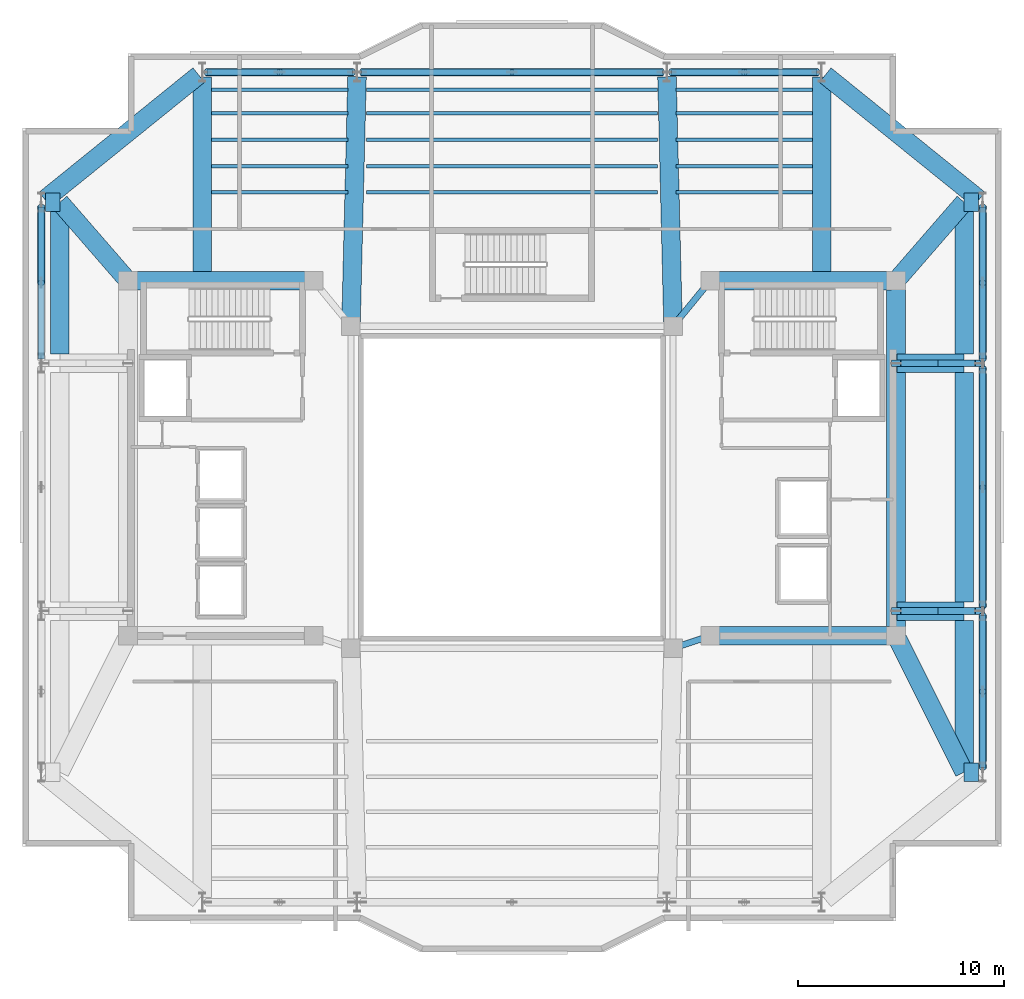
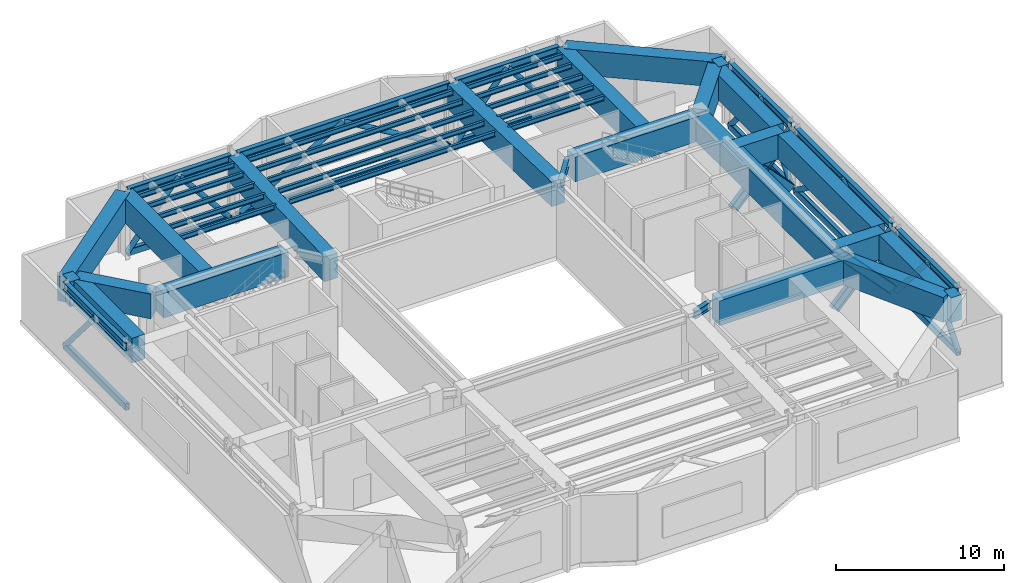
# One storey, part 2 of 13: 46 beams, 24 members.
"""IFC4 building model written with IfcOpenShell, lengths in metres."""

from ifc_helpers import new_model, si_unit, direction, frame, origin, origin_2d, place, context, subcontext, project, spatial, rectangle, hollow_rectangle, hollow_circle, i_section, extrude, material, material_profile, profile_set, type_object, element, save


model = new_model("IFC4")

# Units and contexts
model_context = context("Model", 3, precision=1e-05, world=origin(), true_north=direction((0.0, 1.0)))
body_context = subcontext(model_context, "Body", "Model", "MODEL_VIEW")
ifc_project = project(units=[si_unit("LENGTHUNIT", "METRE"), si_unit("AREAUNIT", "SQUARE_METRE"), si_unit("VOLUMEUNIT", "CUBIC_METRE"), si_unit("PLANEANGLEUNIT", "RADIAN"), si_unit("MASSUNIT", "GRAM", prefix="KILO")], contexts=[model_context])

# Site, building, storey
site_placement = place(None, origin())
site = spatial("IfcSite", under=ifc_project, at=site_placement, CompositionType="ELEMENT")
building_placement = place(site_placement, origin())
building = spatial("IfcBuilding", under=site, at=building_placement, Name="Tarnavaz Court Tower", CompositionType="ELEMENT")
storey_placement = place(building_placement, frame((0.0, 0.0, 236.39990234375)))
storey = spatial("IfcBuildingStorey", under=building, at=storey_placement, Name="L64", CompositionType="ELEMENT", Elevation=236.39990234375)

# Beams
ifc_material_1 = material(Name="Steel S460", Category="steel")
ifc_material_profile_1 = material_profile(ifc_material_1, i_section(OverallWidth=0.305908203125, OverallDepth=0.572021484375, WebThickness=0.02099609375, FlangeThickness=0.0400390625, FilletRadius=0.027099609375, at=origin_2d()), Name="HEM 550")
ifc_profile_set_1 = profile_set([ifc_material_profile_1], Name="Steel S460")
beam_type_1 = type_object("IfcBeamType", Name="BM-BT-HEM550", PredefinedType="USERDEFINED", material=ifc_profile_set_1)
beam_1_placement = place(storey_placement, frame((9.391357421875, -7.26953125, 4.564208984375), z_axis=(-0.948666544706, -0.316278021615, 0.0), x_axis=(0.316278021615, -0.948666544706, 0.0)))
element("IfcBeam", 1, at=beam_1_placement, inside=storey, type_object=beam_type_1, Name="L64 Beam IN-CE-SI-IW-SE", ObjectType="GIRDER", PredefinedType="USERDEFINED", context=body_context, shape_type="SweptSolid", body=[
    extrude(i_section(OverallWidth=0.305908203125, OverallDepth=0.572021484375, WebThickness=0.02099609375, FlangeThickness=0.0400390625, FilletRadius=0.027099609375, at=origin_2d()), origin(), (0.0, 0.0, 1.0), 1.457275390625),
])
beam_2_placement = place(storey_placement, frame((9.460693359375, 9.82958984375, 4.564208984375), z_axis=(-0.633282058357, -0.773921077735, 0.0), x_axis=(0.773921077735, -0.633282058357, 0.0)))
element("IfcBeam", 2, at=beam_2_placement, inside=storey, type_object=beam_type_1, Name="L64 Beam IN-CE-NI-IW-NE", ObjectType="GIRDER", PredefinedType="USERDEFINED", context=body_context, shape_type="SweptSolid", body=[
    extrude(i_section(OverallWidth=0.305908203125, OverallDepth=0.572021484375, WebThickness=0.02099609375, FlangeThickness=0.0400390625, FilletRadius=0.027099609375, at=origin_2d()), origin(), (0.0, 0.0, 1.0), 2.402587890625),
])
beam_3_placement = place(storey_placement, frame((-14.780029296875, 20.10009765625, 4.564208984375), z_axis=(1.0, 0.0, 0.0), x_axis=(0.0, 1.0, 0.0)))
element("IfcBeam", 3, at=beam_3_placement, inside=storey, type_object=beam_type_1, Name="L64 Beam PR-PN-1-PN-2", ObjectType="GIRDER", PredefinedType="USERDEFINED", context=body_context, shape_type="SweptSolid", body=[
    extrude(i_section(OverallWidth=0.305908203125, OverallDepth=0.572021484375, WebThickness=0.02099609375, FlangeThickness=0.0400390625, FilletRadius=0.027099609375, at=origin_2d()), origin(), (0.0, 0.0, 1.0), 7.06005859375),
])
beam_4_placement = place(storey_placement, frame((-7.280029296875, 20.10009765625, 4.564208984375), z_axis=(1.0, 0.0, 0.0), x_axis=(0.0, 1.0, 0.0)))
element("IfcBeam", 4, at=beam_4_placement, inside=storey, type_object=beam_type_1, Name="L64 Beam PR-PN-2-PN-3", ObjectType="GIRDER", PredefinedType="USERDEFINED", context=body_context, shape_type="SweptSolid", body=[
    extrude(i_section(OverallWidth=0.305908203125, OverallDepth=0.572021484375, WebThickness=0.02099609375, FlangeThickness=0.0400390625, FilletRadius=0.027099609375, at=origin_2d()), origin(), (0.0, 0.0, 1.0), 14.56005859375),
])
beam_5_placement = place(storey_placement, frame((7.719970703125, 20.10009765625, 4.564208984375), z_axis=(1.0, 0.0, 0.0), x_axis=(0.0, 1.0, 0.0)))
element("IfcBeam", 5, at=beam_5_placement, inside=storey, type_object=beam_type_1, Name="L64 Beam PR-PN-3-PN-4", ObjectType="GIRDER", PredefinedType="USERDEFINED", context=body_context, shape_type="SweptSolid", body=[
    extrude(i_section(OverallWidth=0.305908203125, OverallDepth=0.572021484375, WebThickness=0.02099609375, FlangeThickness=0.0400390625, FilletRadius=0.027099609375, at=origin_2d()), origin(), (0.0, 0.0, 1.0), 7.06005859375),
])
beam_6_placement = place(storey_placement, frame((22.800048828125, -13.580078125, 4.564208984375), z_axis=(0.0, 1.0, 0.0), x_axis=(-1.0, 0.0, 0.0)))
element("IfcBeam", 6, at=beam_6_placement, inside=storey, type_object=beam_type_1, Name="L64 Beam PR-PE-1-PE-2", ObjectType="GIRDER", PredefinedType="USERDEFINED", context=body_context, shape_type="SweptSolid", body=[
    extrude(i_section(OverallWidth=0.305908203125, OverallDepth=0.572021484375, WebThickness=0.02099609375, FlangeThickness=0.0400390625, FilletRadius=0.027099609375, at=origin_2d()), origin(), (0.0, 0.0, 1.0), 7.360107421875),
])
beam_7_placement = place(storey_placement, frame((22.800048828125, -5.780029296875, 4.564208984375), z_axis=(0.0, 1.0, 0.0), x_axis=(-1.0, 0.0, 0.0)))
element("IfcBeam", 7, at=beam_7_placement, inside=storey, type_object=beam_type_1, Name="L64 Beam PR-PE-2-PE-3", ObjectType="GIRDER", PredefinedType="USERDEFINED", context=body_context, shape_type="SweptSolid", body=[
    extrude(i_section(OverallWidth=0.305908203125, OverallDepth=0.572021484375, WebThickness=0.02099609375, FlangeThickness=0.0400390625, FilletRadius=0.027099609375, at=origin_2d()), origin(), (0.0, 0.0, 1.0), 11.56005859375),
])
for number, where, z_axis, x_axis, name in (
    (8, (22.800048828125, 6.219970703125, 4.564208984375), (0.0, 1.0, 0.0), (-1.0, 0.0, 0.0), "L64 Beam PR-PE-3-PE-4"),
    (9, (-22.800048828125, 6.219970703125, 4.564208984375), (0.0, 1.0, 0.0), (-1.0, 0.0, 0.0), "L64 Beam PR-PW-3-PW-4"),
):
    element("IfcBeam", number, at=place(storey_placement, frame(where, z_axis=z_axis, x_axis=x_axis)), inside=storey, type_object=beam_type_1, Name=name, ObjectType="GIRDER", PredefinedType="USERDEFINED", context=body_context, shape_type="SweptSolid", body=[
        extrude(i_section(OverallWidth=0.305908203125, OverallDepth=0.572021484375, WebThickness=0.02099609375, FlangeThickness=0.0400390625, FilletRadius=0.027099609375, at=origin_2d()), origin(), (0.0, 0.0, 1.0), 7.360107421875),
    ])
ifc_material_2 = material(Name="Steel S355", Category="steel")
ifc_material_profile_2 = material_profile(ifc_material_2, i_section(OverallWidth=0.169921875, OverallDepth=0.360107421875, WebThickness=0.008056640625, FlangeThickness=0.0126953125, FilletRadius=0.01806640625, at=origin_2d()), Name="IPE 360")
ifc_profile_set_2 = profile_set([ifc_material_profile_2], Name="Steel S355")
beam_type_2 = type_object("IfcBeamType", Name="BM-J-IPE360", PredefinedType="JOIST", material=ifc_profile_set_2)
beam_8_placement = place(storey_placement, frame((-14.550048828125, 14.278076171875, 4.670166015625), z_axis=(1.0, 0.0, 0.0), x_axis=(0.0, 1.0, 0.0)))
element("IfcBeam", 10, at=beam_8_placement, inside=storey, type_object=beam_type_2, Name="L64 Beam JN1-1", PredefinedType="JOIST", context=body_context, shape_type="SweptSolid", body=[
    extrude(i_section(OverallWidth=0.169921875, OverallDepth=0.360107421875, WebThickness=0.008056640625, FlangeThickness=0.0126953125, FilletRadius=0.01806640625, at=origin_2d()), origin(), (0.0, 0.0, 1.0), 6.60009765625),
])
beam_9_placement = place(storey_placement, frame((-7.050048828125, 14.278076171875, 4.670166015625), z_axis=(1.0, 0.0, 0.0), x_axis=(0.0, 1.0, 0.0)))
element("IfcBeam", 11, at=beam_9_placement, inside=storey, type_object=beam_type_2, Name="L64 Beam JN1-2", PredefinedType="JOIST", context=body_context, shape_type="SweptSolid", body=[
    extrude(i_section(OverallWidth=0.169921875, OverallDepth=0.360107421875, WebThickness=0.008056640625, FlangeThickness=0.0126953125, FilletRadius=0.01806640625, at=origin_2d()), origin(), (0.0, 0.0, 1.0), 14.10009765625),
])
for number, where, z_axis, x_axis, name in (
    (12, (7.949951171875, 14.278076171875, 4.670166015625), (1.0, 0.0, 0.0), (0.0, 1.0, 0.0), "L64 Beam JN1-3"),
    (13, (-14.550048828125, 15.555908203125, 4.670166015625), (1.0, 0.0, 0.0), (0.0, 1.0, 0.0), "L64 Beam JN2-1"),
):
    element("IfcBeam", number, at=place(storey_placement, frame(where, z_axis=z_axis, x_axis=x_axis)), inside=storey, type_object=beam_type_2, Name=name, PredefinedType="JOIST", context=body_context, shape_type="SweptSolid", body=[
        extrude(i_section(OverallWidth=0.169921875, OverallDepth=0.360107421875, WebThickness=0.008056640625, FlangeThickness=0.0126953125, FilletRadius=0.01806640625, at=origin_2d()), origin(), (0.0, 0.0, 1.0), 6.60009765625),
    ])
beam_10_placement = place(storey_placement, frame((-7.050048828125, 15.555908203125, 4.670166015625), z_axis=(1.0, 0.0, 0.0), x_axis=(0.0, 1.0, 0.0)))
element("IfcBeam", 14, at=beam_10_placement, inside=storey, type_object=beam_type_2, Name="L64 Beam JN2-2", PredefinedType="JOIST", context=body_context, shape_type="SweptSolid", body=[
    extrude(i_section(OverallWidth=0.169921875, OverallDepth=0.360107421875, WebThickness=0.008056640625, FlangeThickness=0.0126953125, FilletRadius=0.01806640625, at=origin_2d()), origin(), (0.0, 0.0, 1.0), 14.10009765625),
])
for number, where, z_axis, x_axis, name in (
    (15, (7.949951171875, 15.555908203125, 4.670166015625), (1.0, 0.0, 0.0), (0.0, 1.0, 0.0), "L64 Beam JN2-3"),
    (16, (-14.550048828125, 16.833984375, 4.670166015625), (1.0, 0.0, 0.0), (0.0, 1.0, 0.0), "L64 Beam JN3-1"),
):
    element("IfcBeam", number, at=place(storey_placement, frame(where, z_axis=z_axis, x_axis=x_axis)), inside=storey, type_object=beam_type_2, Name=name, PredefinedType="JOIST", context=body_context, shape_type="SweptSolid", body=[
        extrude(i_section(OverallWidth=0.169921875, OverallDepth=0.360107421875, WebThickness=0.008056640625, FlangeThickness=0.0126953125, FilletRadius=0.01806640625, at=origin_2d()), origin(), (0.0, 0.0, 1.0), 6.60009765625),
    ])
beam_11_placement = place(storey_placement, frame((-7.050048828125, 16.833984375, 4.670166015625), z_axis=(1.0, 0.0, 0.0), x_axis=(0.0, 1.0, 0.0)))
element("IfcBeam", 17, at=beam_11_placement, inside=storey, type_object=beam_type_2, Name="L64 Beam JN3-2", PredefinedType="JOIST", context=body_context, shape_type="SweptSolid", body=[
    extrude(i_section(OverallWidth=0.169921875, OverallDepth=0.360107421875, WebThickness=0.008056640625, FlangeThickness=0.0126953125, FilletRadius=0.01806640625, at=origin_2d()), origin(), (0.0, 0.0, 1.0), 14.10009765625),
])
for number, where, z_axis, x_axis, name in (
    (18, (7.949951171875, 16.833984375, 4.670166015625), (1.0, 0.0, 0.0), (0.0, 1.0, 0.0), "L64 Beam JN3-3"),
    (19, (-14.550048828125, 18.112060546875, 4.670166015625), (1.0, 0.0, 0.0), (0.0, 1.0, 0.0), "L64 Beam JN4-1"),
):
    element("IfcBeam", number, at=place(storey_placement, frame(where, z_axis=z_axis, x_axis=x_axis)), inside=storey, type_object=beam_type_2, Name=name, PredefinedType="JOIST", context=body_context, shape_type="SweptSolid", body=[
        extrude(i_section(OverallWidth=0.169921875, OverallDepth=0.360107421875, WebThickness=0.008056640625, FlangeThickness=0.0126953125, FilletRadius=0.01806640625, at=origin_2d()), origin(), (0.0, 0.0, 1.0), 6.60009765625),
    ])
beam_12_placement = place(storey_placement, frame((-7.050048828125, 18.112060546875, 4.670166015625), z_axis=(1.0, 0.0, 0.0), x_axis=(0.0, 1.0, 0.0)))
element("IfcBeam", 20, at=beam_12_placement, inside=storey, type_object=beam_type_2, Name="L64 Beam JN4-2", PredefinedType="JOIST", context=body_context, shape_type="SweptSolid", body=[
    extrude(i_section(OverallWidth=0.169921875, OverallDepth=0.360107421875, WebThickness=0.008056640625, FlangeThickness=0.0126953125, FilletRadius=0.01806640625, at=origin_2d()), origin(), (0.0, 0.0, 1.0), 14.10009765625),
])
for number, where, z_axis, x_axis, name in (
    (21, (7.949951171875, 18.112060546875, 4.670166015625), (1.0, 0.0, 0.0), (0.0, 1.0, 0.0), "L64 Beam JN4-3"),
    (22, (-14.550048828125, 19.248046875, 4.670166015625), (1.0, 0.0, 0.0), (0.0, 1.0, 0.0), "L64 Beam JN5-1"),
):
    element("IfcBeam", number, at=place(storey_placement, frame(where, z_axis=z_axis, x_axis=x_axis)), inside=storey, type_object=beam_type_2, Name=name, PredefinedType="JOIST", context=body_context, shape_type="SweptSolid", body=[
        extrude(i_section(OverallWidth=0.169921875, OverallDepth=0.360107421875, WebThickness=0.008056640625, FlangeThickness=0.0126953125, FilletRadius=0.01806640625, at=origin_2d()), origin(), (0.0, 0.0, 1.0), 6.60009765625),
    ])
beam_13_placement = place(storey_placement, frame((-7.050048828125, 19.248046875, 4.670166015625), z_axis=(1.0, 0.0, 0.0), x_axis=(0.0, 1.0, 0.0)))
element("IfcBeam", 23, at=beam_13_placement, inside=storey, type_object=beam_type_2, Name="L64 Beam JN5-2", PredefinedType="JOIST", context=body_context, shape_type="SweptSolid", body=[
    extrude(i_section(OverallWidth=0.169921875, OverallDepth=0.360107421875, WebThickness=0.008056640625, FlangeThickness=0.0126953125, FilletRadius=0.01806640625, at=origin_2d()), origin(), (0.0, 0.0, 1.0), 14.10009765625),
])
beam_14_placement = place(storey_placement, frame((7.949951171875, 19.248046875, 4.670166015625), z_axis=(1.0, 0.0, 0.0), x_axis=(0.0, 1.0, 0.0)))
element("IfcBeam", 24, at=beam_14_placement, inside=storey, type_object=beam_type_2, Name="L64 Beam JN5-3", PredefinedType="JOIST", context=body_context, shape_type="SweptSolid", body=[
    extrude(i_section(OverallWidth=0.169921875, OverallDepth=0.360107421875, WebThickness=0.008056640625, FlangeThickness=0.0126953125, FilletRadius=0.01806640625, at=origin_2d()), origin(), (0.0, 0.0, 1.0), 6.60009765625),
])
ifc_material_3 = material(Name="Concrete C50/60", Category="concrete")
ifc_material_profile_3 = material_profile(ifc_material_3, rectangle(XDim=0.89990234375, YDim=1.800048828125, at=origin_2d()), Name="RC 900X1800")
ifc_profile_set_3 = profile_set([ifc_material_profile_3], Name="Concrete C50/60")
beam_type_3 = type_object("IfcBeamType", Name="BM-TG1800", PredefinedType="USERDEFINED", material=ifc_profile_set_3)
for number, where, z_axis, x_axis, name in (
    (25, (-18.3798828125, 10.0, 3.9501953125), (1.0, 0.0, 0.0), (0.0, 1.0, 0.0), "L64 Beam IN-CW-NO-CW-NI"),
    (26, (18.3798828125, -7.199951171875, 3.9501953125), (-1.0, 0.0, 0.0), (0.0, -1.0, 0.0), "L64 Beam IN-CE-SO-CE-SI"),
    (27, (18.3798828125, 10.0, 3.9501953125), (-1.0, 0.0, 0.0), (0.0, -1.0, 0.0), "L64 Beam IN-CE-NO-CE-NI"),
):
    element("IfcBeam", number, at=place(storey_placement, frame(where, z_axis=z_axis, x_axis=x_axis)), inside=storey, type_object=beam_type_3, Name=name, ObjectType="GIRDER", PredefinedType="USERDEFINED", context=body_context, shape_type="SweptSolid", body=[
        extrude(rectangle(XDim=0.89990234375, YDim=1.800048828125, at=origin_2d()), origin(), (0.0, 0.0, 1.0), 8.559814453125),
    ])
beam_15_placement = place(storey_placement, frame((18.60009765625, -6.97998046875, 3.9501953125), z_axis=(0.0, 1.0, 0.0), x_axis=(-1.0, 0.0, 0.0)))
element("IfcBeam", 28, at=beam_15_placement, inside=storey, type_object=beam_type_3, Name="L64 Beam IN-CE-SO-CE-NO", ObjectType="GIRDER", PredefinedType="USERDEFINED", context=body_context, shape_type="SweptSolid", body=[
    extrude(rectangle(XDim=0.89990234375, YDim=1.800048828125, at=origin_2d()), origin(), (0.0, 0.0, 1.0), 16.760009765625),
])
for number, where, z_axis, x_axis, name in (
    (29, (15.171142578125, 19.9619140625, 3.9501953125), (0.777935913531, -0.628343627674, 0.0), (0.628343627674, 0.777935913531, 0.0), "L64 Beam PR-PN-4-PE-4"),
    (30, (-22.62890625, 13.938232421875, 3.9501953125), (0.777935913531, 0.628343627674, 0.0), (-0.628343627674, 0.777935913531, 0.0), "L64 Beam PR-PW-4-PN-1"),
):
    element("IfcBeam", number, at=place(storey_placement, frame(where, z_axis=z_axis, x_axis=x_axis)), inside=storey, type_object=beam_type_3, Name=name, ObjectType="GIRDER", PredefinedType="USERDEFINED", context=body_context, shape_type="SweptSolid", body=[
        extrude(rectangle(XDim=0.89990234375, YDim=1.800048828125, at=origin_2d()), origin(), (0.0, 0.0, 1.0), 9.586669921875),
    ])
beam_16_placement = place(storey_placement, frame((-15.0, 10.0400390625, 3.9501953125), z_axis=(0.0, 1.0, 0.0), x_axis=(-1.0, 0.0, 0.0)))
element("IfcBeam", 31, at=beam_16_placement, inside=storey, type_object=beam_type_3, Name="L64 Beam RG-01", ObjectType="GIRDER", PredefinedType="USERDEFINED", context=body_context, shape_type="SweptSolid", body=[
    extrude(rectangle(XDim=0.89990234375, YDim=1.800048828125, at=origin_2d()), origin(), (0.0, 0.0, 1.0), 9.83984375),
])
for number, where, z_axis, x_axis, name in (
    (32, (-7.794677734375, 8.02001953125, 3.9501953125), (0.024386002211, 0.99970261723, 0.0), (-0.99970261723, 0.024386002211, 0.0), "L64 Beam RG-02"),
    (33, (7.794677734375, 8.02001953125, 3.9501953125), (-0.024386002211, 0.99970261723, 0.0), (-0.99970261723, -0.024386002211, 0.0), "L64 Beam RG-03"),
):
    element("IfcBeam", number, at=place(storey_placement, frame(where, z_axis=z_axis, x_axis=x_axis)), inside=storey, type_object=beam_type_3, Name=name, ObjectType="GIRDER", PredefinedType="USERDEFINED", context=body_context, shape_type="SweptSolid", body=[
        extrude(rectangle(XDim=0.89990234375, YDim=1.800048828125, at=origin_2d()), origin(), (0.0, 0.0, 1.0), 11.863525390625),
    ])
beam_17_placement = place(storey_placement, frame((15.0, 10.0400390625, 3.9501953125), z_axis=(0.0, 1.0, 0.0), x_axis=(-1.0, 0.0, 0.0)))
element("IfcBeam", 34, at=beam_17_placement, inside=storey, type_object=beam_type_3, Name="L64 Beam RG-04", ObjectType="GIRDER", PredefinedType="USERDEFINED", context=body_context, shape_type="SweptSolid", body=[
    extrude(rectangle(XDim=0.89990234375, YDim=1.800048828125, at=origin_2d()), origin(), (0.0, 0.0, 1.0), 9.83984375),
])
for number, where, z_axis, x_axis, name in (
    (35, (18.639892578125, -6.0, 3.9501953125), (1.0, 0.0, 0.0), (0.0, 1.0, 0.0), "L64 Beam RG-09"),
    (36, (18.639892578125, 6.0, 3.9501953125), (1.0, 0.0, 0.0), (0.0, 1.0, 0.0), "L64 Beam RG-10"),
):
    element("IfcBeam", number, at=place(storey_placement, frame(where, z_axis=z_axis, x_axis=x_axis)), inside=storey, type_object=beam_type_3, Name=name, ObjectType="GIRDER", PredefinedType="USERDEFINED", context=body_context, shape_type="SweptSolid", body=[
        extrude(rectangle(XDim=0.89990234375, YDim=1.800048828125, at=origin_2d()), origin(), (0.0, 0.0, 1.0), 3.260009765625),
    ])
beam_18_placement = place(storey_placement, frame((18.689453125, -7.37890625, 3.9501953125), z_axis=(0.447199992407, -0.894433992417, 0.0), x_axis=(0.894433992417, 0.447199992407, 0.0)))
element("IfcBeam", 37, at=beam_18_placement, inside=storey, type_object=beam_type_3, Name="L64 Beam TG-SET-ES", ObjectType="GIRDER", PredefinedType="USERDEFINED", context=body_context, shape_type="SweptSolid", body=[
    extrude(rectangle(XDim=0.89990234375, YDim=1.800048828125, at=origin_2d()), origin(), (0.0, 0.0, 1.0), 7.178955078125),
])
beam_19_placement = place(storey_placement, frame((21.89990234375, -13.800048828125, 3.9501953125), z_axis=(1.0, 0.0, 0.0), x_axis=(0.0, 1.0, 0.0)))
element("IfcBeam", 38, at=beam_19_placement, inside=storey, type_object=beam_type_3, Name="L64 Beam TG-OUT-ES", ObjectType="GIRDER", PredefinedType="USERDEFINED", context=body_context, shape_type="SweptSolid", body=[
    extrude(rectangle(XDim=0.89990234375, YDim=1.800048828125, at=origin_2d()), origin(), (0.0, 0.0, 1.0), 0.7001953125),
])
beam_20_placement = place(storey_placement, frame((18.731201171875, 10.15087890625, 3.9501953125), z_axis=(0.655649520374, 0.75506536567, 0.0), x_axis=(-0.75506536567, 0.655649520374, 0.0)))
element("IfcBeam", 39, at=beam_20_placement, inside=storey, type_object=beam_type_3, Name="L64 Beam TG-SET-EN", ObjectType="GIRDER", PredefinedType="USERDEFINED", context=body_context, shape_type="SweptSolid", body=[
    extrude(rectangle(XDim=0.89990234375, YDim=1.800048828125, at=origin_2d()), origin(), (0.0, 0.0, 1.0), 4.8330078125),
])
beam_21_placement = place(storey_placement, frame((21.89990234375, 13.800048828125, 3.9501953125), z_axis=(1.0, 0.0, 0.0), x_axis=(0.0, 1.0, 0.0)))
element("IfcBeam", 40, at=beam_21_placement, inside=storey, type_object=beam_type_3, Name="L64 Beam TG-OUT-EN", ObjectType="GIRDER", PredefinedType="USERDEFINED", context=body_context, shape_type="SweptSolid", body=[
    extrude(rectangle(XDim=0.89990234375, YDim=1.800048828125, at=origin_2d()), origin(), (0.0, 0.0, 1.0), 0.7001953125),
])
beam_22_placement = place(storey_placement, frame((21.89990234375, -13.780029296875, 3.9501953125), z_axis=(0.0, 1.0, 0.0), x_axis=(-1.0, 0.0, 0.0)))
element("IfcBeam", 41, at=beam_22_placement, inside=storey, type_object=beam_type_3, Name="L64 Beam TG-TIE-E1", ObjectType="GIRDER", PredefinedType="USERDEFINED", context=body_context, shape_type="SweptSolid", body=[
    extrude(rectangle(XDim=0.89990234375, YDim=1.800048828125, at=origin_2d()), origin(), (0.0, 0.0, 1.0), 7.330078125),
])
beam_23_placement = place(storey_placement, frame((21.89990234375, -5.550048828125, 3.9501953125), z_axis=(0.0, 1.0, 0.0), x_axis=(-1.0, 0.0, 0.0)))
element("IfcBeam", 42, at=beam_23_placement, inside=storey, type_object=beam_type_3, Name="L64 Beam TG-TIE-E2", ObjectType="GIRDER", PredefinedType="USERDEFINED", context=body_context, shape_type="SweptSolid", body=[
    extrude(rectangle(XDim=0.89990234375, YDim=1.800048828125, at=origin_2d()), origin(), (0.0, 0.0, 1.0), 11.10009765625),
])
beam_24_placement = place(storey_placement, frame((21.89990234375, 6.449951171875, 3.9501953125), z_axis=(0.0, 1.0, 0.0), x_axis=(-1.0, 0.0, 0.0)))
element("IfcBeam", 43, at=beam_24_placement, inside=storey, type_object=beam_type_3, Name="L64 Beam TG-TIE-E3", ObjectType="GIRDER", PredefinedType="USERDEFINED", context=body_context, shape_type="SweptSolid", body=[
    extrude(rectangle(XDim=0.89990234375, YDim=1.800048828125, at=origin_2d()), origin(), (0.0, 0.0, 1.0), 7.330078125),
])
beam_25_placement = place(storey_placement, frame((-18.731201171875, 10.15087890625, 3.9501953125), z_axis=(-0.655649520374, 0.75506536567, 0.0), x_axis=(-0.75506536567, -0.655649520374, 0.0)))
element("IfcBeam", 44, at=beam_25_placement, inside=storey, type_object=beam_type_3, Name="L64 Beam TG-SET-WN", ObjectType="GIRDER", PredefinedType="USERDEFINED", context=body_context, shape_type="SweptSolid", body=[
    extrude(rectangle(XDim=0.89990234375, YDim=1.800048828125, at=origin_2d()), origin(), (0.0, 0.0, 1.0), 4.8330078125),
])
beam_26_placement = place(storey_placement, frame((-21.89990234375, 13.800048828125, 3.9501953125), z_axis=(-1.0, 0.0, 0.0), x_axis=(0.0, -1.0, 0.0)))
element("IfcBeam", 45, at=beam_26_placement, inside=storey, type_object=beam_type_3, Name="L64 Beam TG-OUT-WN", ObjectType="GIRDER", PredefinedType="USERDEFINED", context=body_context, shape_type="SweptSolid", body=[
    extrude(rectangle(XDim=0.89990234375, YDim=1.800048828125, at=origin_2d()), origin(), (0.0, 0.0, 1.0), 0.7001953125),
])
beam_27_placement = place(storey_placement, frame((-21.89990234375, 6.449951171875, 3.9501953125), z_axis=(0.0, 1.0, 0.0), x_axis=(-1.0, 0.0, 0.0)))
element("IfcBeam", 46, at=beam_27_placement, inside=storey, type_object=beam_type_3, Name="L64 Beam TG-TIE-W3", ObjectType="GIRDER", PredefinedType="USERDEFINED", context=body_context, shape_type="SweptSolid", body=[
    extrude(rectangle(XDim=0.89990234375, YDim=1.800048828125, at=origin_2d()), origin(), (0.0, 0.0, 1.0), 7.330078125),
])

# Members
ifc_material_profile_4 = material_profile(ifc_material_1, hollow_circle(Radius=0.177734375, WallThickness=0.01611328125, at=origin_2d()), Name="CHS 355.6X16")
ifc_profile_set_4 = profile_set([ifc_material_profile_4], Name="Steel S460")
member_type_1 = type_object("IfcMemberType", Name="MB-BT-CHS356", PredefinedType="BRACE", material=ifc_profile_set_4)
for number, where, z_axis, x_axis, name in (
    (47, (-14.780029296875, 20.10009765625, 0.2001953125), (0.634529769214, 0.0, 0.772898422809), (0.0, 1.0, 0.0), "L64 Belt Truss Diagonal 01A"),
    (48, (-7.719970703125, 20.10009765625, 0.2001953125), (-0.634529769214, 0.0, 0.772898422809), (0.0, -1.0, 0.0), "L64 Belt Truss Diagonal 01B"),
):
    element("IfcMember", number, at=place(storey_placement, frame(where, z_axis=z_axis, x_axis=x_axis)), inside=storey, type_object=member_type_1, Name=name, PredefinedType="BRACE", context=body_context, shape_type="SweptSolid", body=[
        extrude(hollow_circle(Radius=0.177734375, WallThickness=0.01611328125, at=origin_2d()), origin(), (0.0, 0.0, 1.0), 5.563232421875),
    ])
for number, where, z_axis, x_axis, name in (
    (49, (-7.280029296875, 20.10009765625, 0.2001953125), (0.861031707771, 0.0, 0.508551273928), (0.0, 1.0, 0.0), "L64 Belt Truss Diagonal 02A"),
    (50, (7.280029296875, 20.10009765625, 0.2001953125), (-0.861031707771, 0.0, 0.508551273928), (0.0, -1.0, 0.0), "L64 Belt Truss Diagonal 02B"),
):
    element("IfcMember", number, at=place(storey_placement, frame(where, z_axis=z_axis, x_axis=x_axis)), inside=storey, type_object=member_type_1, Name=name, PredefinedType="BRACE", context=body_context, shape_type="SweptSolid", body=[
        extrude(hollow_circle(Radius=0.177734375, WallThickness=0.01611328125, at=origin_2d()), origin(), (0.0, 0.0, 1.0), 8.455078125),
    ])
for number, where, z_axis, x_axis, name in (
    (51, (7.719970703125, 20.10009765625, 0.2001953125), (0.634529769214, 0.0, 0.772898422809), (0.0, 1.0, 0.0), "L64 Belt Truss Diagonal 03A"),
    (52, (14.780029296875, 20.10009765625, 0.2001953125), (-0.634529769214, 0.0, 0.772898422809), (0.0, -1.0, 0.0), "L64 Belt Truss Diagonal 03B"),
):
    element("IfcMember", number, at=place(storey_placement, frame(where, z_axis=z_axis, x_axis=x_axis)), inside=storey, type_object=member_type_1, Name=name, PredefinedType="BRACE", context=body_context, shape_type="SweptSolid", body=[
        extrude(hollow_circle(Radius=0.177734375, WallThickness=0.01611328125, at=origin_2d()), origin(), (0.0, 0.0, 1.0), 5.563232421875),
    ])
member_1_placement = place(storey_placement, frame((22.800048828125, -13.580078125, 0.2001953125), z_axis=(0.0, 0.65024412839, 0.759725327664), x_axis=(-1.0, 0.0, 0.0)))
element("IfcMember", 53, at=member_1_placement, inside=storey, type_object=member_type_1, Name="L64 Belt Truss Diagonal 07A", PredefinedType="BRACE", context=body_context, shape_type="SweptSolid", body=[
    extrude(hollow_circle(Radius=0.177734375, WallThickness=0.01611328125, at=origin_2d()), origin(), (0.0, 0.0, 1.0), 5.65966796875),
])
member_2_placement = place(storey_placement, frame((22.800048828125, -6.219970703125, 0.2001953125), z_axis=(0.0, -0.650219229533, 0.759746637732), x_axis=(1.0, 0.0, 0.0)))
element("IfcMember", 54, at=member_2_placement, inside=storey, type_object=member_type_1, Name="L64 Belt Truss Diagonal 07B", PredefinedType="BRACE", context=body_context, shape_type="SweptSolid", body=[
    extrude(hollow_circle(Radius=0.177734375, WallThickness=0.01611328125, at=origin_2d()), origin(), (0.0, 0.0, 1.0), 5.659423828125),
])
for number, where, z_axis, x_axis, name in (
    (55, (22.800048828125, -5.780029296875, 0.2001953125), (0.0, 0.802340409966, 0.596866707511), (-1.0, 0.0, 0.0), "L64 Belt Truss Diagonal 08A"),
    (56, (22.800048828125, 5.780029296875, 0.2001953125), (0.0, -0.802340409966, 0.596866707511), (1.0, 0.0, 0.0), "L64 Belt Truss Diagonal 08B"),
):
    element("IfcMember", number, at=place(storey_placement, frame(where, z_axis=z_axis, x_axis=x_axis)), inside=storey, type_object=member_type_1, Name=name, PredefinedType="BRACE", context=body_context, shape_type="SweptSolid", body=[
        extrude(hollow_circle(Radius=0.177734375, WallThickness=0.01611328125, at=origin_2d()), origin(), (0.0, 0.0, 1.0), 7.203857421875),
    ])
member_3_placement = place(storey_placement, frame((22.800048828125, 6.219970703125, 0.2001953125), z_axis=(0.0, 0.650219229533, 0.759746637732), x_axis=(-1.0, 0.0, 0.0)))
element("IfcMember", 57, at=member_3_placement, inside=storey, type_object=member_type_1, Name="L64 Belt Truss Diagonal 09A", PredefinedType="BRACE", context=body_context, shape_type="SweptSolid", body=[
    extrude(hollow_circle(Radius=0.177734375, WallThickness=0.01611328125, at=origin_2d()), origin(), (0.0, 0.0, 1.0), 5.659423828125),
])
for number, where, z_axis, x_axis, name in (
    (58, (22.800048828125, 13.580078125, 0.2001953125), (0.0, -0.65024412839, 0.759725327664), (1.0, 0.0, 0.0), "L64 Belt Truss Diagonal 09B"),
    (59, (-22.800048828125, 13.580078125, 0.2001953125), (0.0, -0.65024412839, 0.759725327664), (1.0, 0.0, 0.0), "L64 Belt Truss Diagonal 12B"),
):
    element("IfcMember", number, at=place(storey_placement, frame(where, z_axis=z_axis, x_axis=x_axis)), inside=storey, type_object=member_type_1, Name=name, PredefinedType="BRACE", context=body_context, shape_type="SweptSolid", body=[
        extrude(hollow_circle(Radius=0.177734375, WallThickness=0.01611328125, at=origin_2d()), origin(), (0.0, 0.0, 1.0), 5.65966796875),
    ])
ifc_material_profile_5 = material_profile(ifc_material_1, hollow_rectangle(XDim=0.300048828125, YDim=0.5, WallThickness=0.02001953125, InnerFilletRadius=0.02001953125, OuterFilletRadius=0.0400390625, at=origin_2d()), Name="RHS 500X300X20")
ifc_profile_set_5 = profile_set([ifc_material_profile_5], Name="Steel S460")
member_type_2 = type_object("IfcMemberType", Name="MB-BT-RHS500", PredefinedType="CHORD", material=ifc_profile_set_5)
member_4_placement = place(storey_placement, frame((-14.780029296875, 20.10009765625, 0.2001953125), z_axis=(1.0, 0.0, 0.0), x_axis=(0.0, 1.0, 0.0)))
element("IfcMember", 60, at=member_4_placement, inside=storey, type_object=member_type_2, Name="L64 Belt Truss Bottom Chord PN-1-PN-2", PredefinedType="CHORD", context=body_context, shape_type="SweptSolid", body=[
    extrude(hollow_rectangle(XDim=0.300048828125, YDim=0.5, WallThickness=0.02001953125, InnerFilletRadius=0.02001953125, OuterFilletRadius=0.0400390625, at=origin_2d()), origin(), (0.0, 0.0, 1.0), 7.06005859375),
])
member_5_placement = place(storey_placement, frame((-7.280029296875, 20.10009765625, 0.2001953125), z_axis=(1.0, 0.0, 0.0), x_axis=(0.0, 1.0, 0.0)))
element("IfcMember", 61, at=member_5_placement, inside=storey, type_object=member_type_2, Name="L64 Belt Truss Bottom Chord PN-2-PN-3", PredefinedType="CHORD", context=body_context, shape_type="SweptSolid", body=[
    extrude(hollow_rectangle(XDim=0.300048828125, YDim=0.5, WallThickness=0.02001953125, InnerFilletRadius=0.02001953125, OuterFilletRadius=0.0400390625, at=origin_2d()), origin(), (0.0, 0.0, 1.0), 14.56005859375),
])
member_6_placement = place(storey_placement, frame((7.719970703125, 20.10009765625, 0.2001953125), z_axis=(1.0, 0.0, 0.0), x_axis=(0.0, 1.0, 0.0)))
element("IfcMember", 62, at=member_6_placement, inside=storey, type_object=member_type_2, Name="L64 Belt Truss Bottom Chord PN-3-PN-4", PredefinedType="CHORD", context=body_context, shape_type="SweptSolid", body=[
    extrude(hollow_rectangle(XDim=0.300048828125, YDim=0.5, WallThickness=0.02001953125, InnerFilletRadius=0.02001953125, OuterFilletRadius=0.0400390625, at=origin_2d()), origin(), (0.0, 0.0, 1.0), 7.06005859375),
])
member_7_placement = place(storey_placement, frame((22.800048828125, -13.580078125, 0.2001953125), z_axis=(0.0, 1.0, 0.0), x_axis=(-1.0, 0.0, 0.0)))
element("IfcMember", 63, at=member_7_placement, inside=storey, type_object=member_type_2, Name="L64 Belt Truss Bottom Chord PE-1-PE-2", PredefinedType="CHORD", context=body_context, shape_type="SweptSolid", body=[
    extrude(hollow_rectangle(XDim=0.300048828125, YDim=0.5, WallThickness=0.02001953125, InnerFilletRadius=0.02001953125, OuterFilletRadius=0.0400390625, at=origin_2d()), origin(), (0.0, 0.0, 1.0), 7.360107421875),
])
member_8_placement = place(storey_placement, frame((22.800048828125, -5.780029296875, 0.2001953125), z_axis=(0.0, 1.0, 0.0), x_axis=(-1.0, 0.0, 0.0)))
element("IfcMember", 64, at=member_8_placement, inside=storey, type_object=member_type_2, Name="L64 Belt Truss Bottom Chord PE-2-PE-3", PredefinedType="CHORD", context=body_context, shape_type="SweptSolid", body=[
    extrude(hollow_rectangle(XDim=0.300048828125, YDim=0.5, WallThickness=0.02001953125, InnerFilletRadius=0.02001953125, OuterFilletRadius=0.0400390625, at=origin_2d()), origin(), (0.0, 0.0, 1.0), 11.56005859375),
])
for number, where, z_axis, x_axis, name in (
    (65, (22.800048828125, 6.219970703125, 0.2001953125), (0.0, 1.0, 0.0), (-1.0, 0.0, 0.0), "L64 Belt Truss Bottom Chord PE-3-PE-4"),
    (66, (-22.800048828125, 6.219970703125, 0.2001953125), (0.0, 1.0, 0.0), (-1.0, 0.0, 0.0), "L64 Belt Truss Bottom Chord PW-3-PW-4"),
):
    element("IfcMember", number, at=place(storey_placement, frame(where, z_axis=z_axis, x_axis=x_axis)), inside=storey, type_object=member_type_2, Name=name, PredefinedType="CHORD", context=body_context, shape_type="SweptSolid", body=[
        extrude(hollow_rectangle(XDim=0.300048828125, YDim=0.5, WallThickness=0.02001953125, InnerFilletRadius=0.02001953125, OuterFilletRadius=0.0400390625, at=origin_2d()), origin(), (0.0, 0.0, 1.0), 7.360107421875),
    ])
ifc_material_profile_6 = material_profile(ifc_material_1, i_section(OverallWidth=0.3291015625, OverallDepth=0.635009765625, WebThickness=0.017822265625, FlangeThickness=0.031005859375, FilletRadius=0.017822265625, at=origin_2d()), Name="W24X162")
ifc_profile_set_6 = profile_set([ifc_material_profile_6], Name="Steel S460")
member_type_3 = type_object("IfcMemberType", Name="MB-OUT-W24", PredefinedType="BRACE", material=ifc_profile_set_6)
for number, where, z_axis, x_axis, name in (
    (67, (18.60009765625, -6.0, 0.2001953125), (0.68652411987, 0.0, 0.727107029836), (0.0, 1.0, 0.0), "L64 Core-to-Ring Outrigger Diagonal 1A"),
    (68, (18.60009765625, -6.0, 4.5), (0.68652411987, 0.0, -0.727107029836), (0.0, 1.0, 0.0), "L64 Core-to-Ring Outrigger Tie 1B"),
    (69, (18.60009765625, 6.0, 0.2001953125), (0.68652411987, 0.0, 0.727107029836), (0.0, 1.0, 0.0), "L64 Core-to-Ring Outrigger Diagonal 2A"),
    (70, (18.60009765625, 6.0, 4.5), (0.68652411987, 0.0, -0.727107029836), (0.0, 1.0, 0.0), "L64 Core-to-Ring Outrigger Tie 2B"),
):
    element("IfcMember", number, at=place(storey_placement, frame(where, z_axis=z_axis, x_axis=x_axis)), inside=storey, type_object=member_type_3, Name=name, PredefinedType="BRACE", context=body_context, shape_type="SweptSolid", body=[
        extrude(i_section(OverallWidth=0.3291015625, OverallDepth=0.635009765625, WebThickness=0.017822265625, FlangeThickness=0.031005859375, FilletRadius=0.017822265625, at=origin_2d()), origin(), (0.0, 0.0, 1.0), 5.91357421875),
    ])

save(model, "model.ifc")
